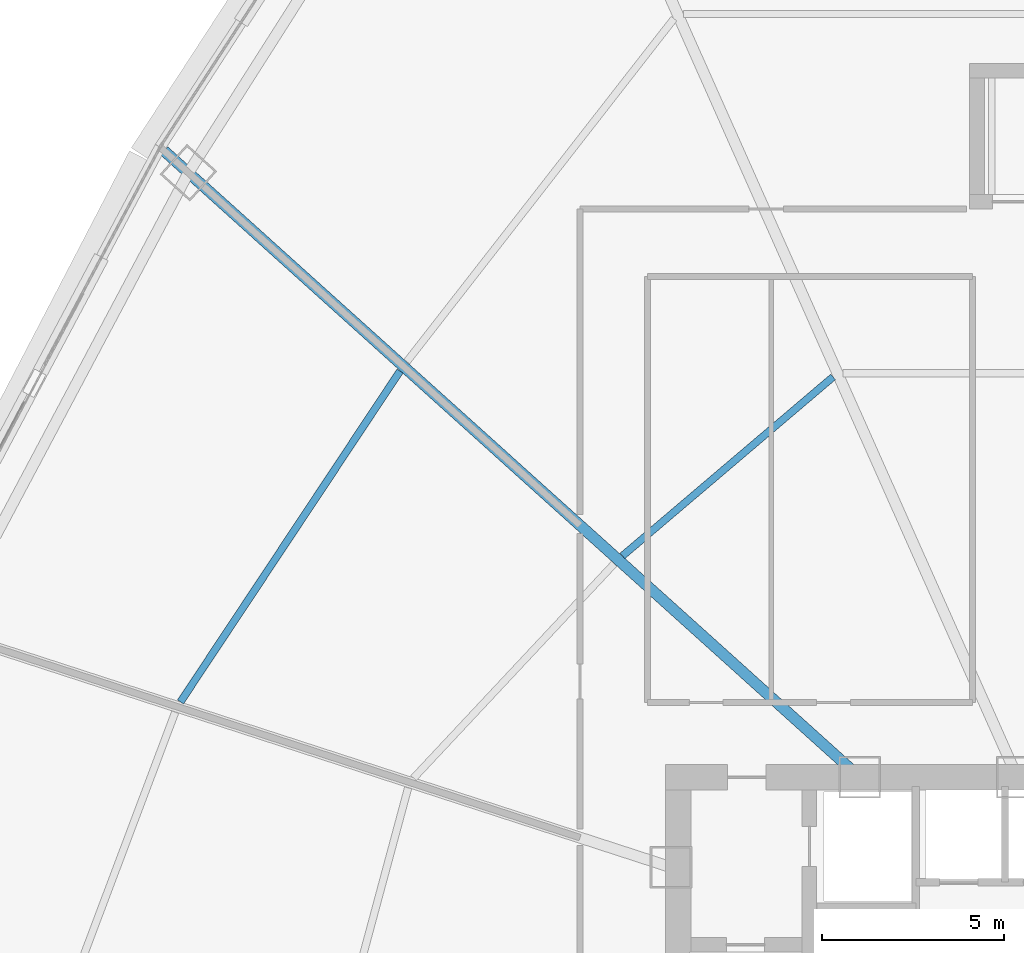
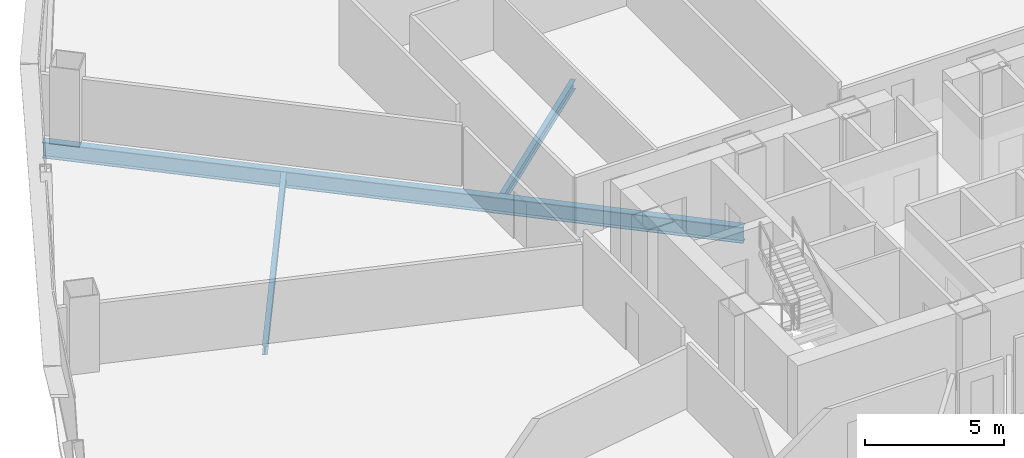
# One storey, part 15 of 40: 3 beams.
"""IFC4 building model written with IfcOpenShell, lengths in metres."""

import ifcopenshell
import ifcopenshell.guid

model = None  # the IFC model being written
_history = None  # IfcOwnerHistory: only IFC2X3 demands one
_inside = {}  # id of a spatial element -> (the spatial element, [elements in it])
_under = {}  # id of a project, library or spatial element -> (it, [spatial elements below it])
_declared = {}  # id of a project -> (the project, [libraries it declares])
_typed = {}  # id of a type object -> (the type object, [elements of that type])
_made_of = {}  # id of a material, layer set ... -> (it, [elements and type objects made of it])


def new_model(schema):
    """Start an empty IFC model of exactly this schema.

    Asked for "IFC4X3", IfcOpenShell would pick the latest addendum, in which some entities
    have other attributes; the version numbers below select the first issue.
    IFC2X3 requires an IfcOwnerHistory on every rooted entity: one is made here for all.
    """
    global model, _history
    if schema == "IFC4X3":
        model = ifcopenshell.file(schema_version=(4, 3, 0, 0))
    else:
        model = ifcopenshell.file(schema=schema)
    _inside.clear()
    _under.clear()
    _declared.clear()
    _typed.clear()
    _made_of.clear()
    _history = None
    if model.schema == "IFC2X3":
        org = make("IfcOrganization", Name="unknown")
        user = make(
            "IfcPersonAndOrganization",
            ThePerson=make("IfcPerson", FamilyName="unknown"),
            TheOrganization=org,
        )
        app = make(
            "IfcApplication",
            ApplicationDeveloper=org,
            Version="unknown",
            ApplicationFullName="unknown",
            ApplicationIdentifier="unknown",
        )
        _history = make(
            "IfcOwnerHistory",
            OwningUser=user,
            OwningApplication=app,
            ChangeAction="ADDED",
            CreationDate=0,
        )
    return model


def make(cls, **values):
    """One entity of the class cls with the attributes given. An attribute that is None is left unset."""
    return model.create_entity(
        cls, **{name: value for name, value in values.items() if value is not None}
    )


def rooted(cls, **values):
    """An entity with a GlobalId (a new one), such as an element, a storey or a relation."""
    return make(cls, GlobalId=ifcopenshell.guid.new(), OwnerHistory=_history, **values)


def si_unit(unit_type, name, prefix=None):
    """IfcSIUnit, for example si_unit("LENGTHUNIT", "METRE", prefix="MILLI")."""
    return make("IfcSIUnit", UnitType=unit_type, Prefix=prefix, Name=name)


def assignment(units):
    """IfcUnitAssignment: the units of a project."""
    return None if units is None else make("IfcUnitAssignment", Units=units)


def point(xyz):
    """IfcCartesianPoint."""
    return None if xyz is None else make("IfcCartesianPoint", Coordinates=xyz)


def direction(xyz):
    """IfcDirection."""
    return None if xyz is None else make("IfcDirection", DirectionRatios=xyz)


def frame(location, z_axis=None, x_axis=None):
    """IfcAxis2Placement3D, a coordinate frame: its origin and axes. An axis left out is left unset."""
    return make(
        "IfcAxis2Placement3D",
        Location=point(location),
        Axis=direction(z_axis),
        RefDirection=direction(x_axis),
    )


def frame_2d(location, x_axis=None):
    """IfcAxis2Placement2D, a coordinate frame in the plane: its origin and x axis."""
    return make(
        "IfcAxis2Placement2D", Location=point(location), RefDirection=direction(x_axis)
    )


def origin():
    """The frame at (0, 0, 0) with its axes left unset."""
    return frame((0.0, 0.0, 0.0))


def origin_2d():
    """The frame at (0, 0) in the plane with its x axis left unset."""
    return frame_2d((0.0, 0.0))


def place(relative_to, where):
    """IfcLocalPlacement: puts the frame where relative to a parent placement (None: the world)."""
    return make(
        "IfcLocalPlacement", PlacementRelTo=relative_to, RelativePlacement=where
    )


def context(
    kind, dimensions, precision=None, world=None, true_north=None, identifier=None
):
    """IfcGeometricRepresentationContext, for example the 3D "Model" context."""
    return make(
        "IfcGeometricRepresentationContext",
        ContextIdentifier=identifier,
        ContextType=kind,
        CoordinateSpaceDimension=dimensions,
        Precision=precision,
        WorldCoordinateSystem=world,
        TrueNorth=true_north,
    )


def subcontext(parent, identifier, kind, view, scale=None):
    """IfcGeometricRepresentationSubContext, for example "Body" below "Model"."""
    return make(
        "IfcGeometricRepresentationSubContext",
        ContextIdentifier=identifier,
        ContextType=kind,
        ParentContext=parent,
        TargetScale=scale,
        TargetView=view,
    )


def project(units=None, contexts=None):
    """IfcProject with its units and contexts."""
    return rooted(
        "IfcProject",
        Name="project",
        RepresentationContexts=contexts,
        UnitsInContext=assignment(units),
    )


def spatial(cls, under=None, at=None, **own):
    """A site, building, storey or space (cls), placed at a placement, below another one or the project."""
    s = rooted(cls, ObjectPlacement=at, **own)
    if under is not None:
        _under.setdefault(under.id(), (under, []))[1].append(s)
    return s


def profile(cls, at=None, kind="AREA", **sizes):
    """A parametric profile (cls). Its sizes go by their IFC names, for example OverallWidth=200.0."""
    return make(cls, ProfileType=kind, Position=at, **sizes)


def i_section(**sizes):
    """IfcIShapeProfileDef."""
    return profile("IfcIShapeProfileDef", **sizes)


def extrude(swept, where, along, depth):
    """IfcExtrudedAreaSolid: the profile swept, set in the frame where, extruded along a direction by depth."""
    return make(
        "IfcExtrudedAreaSolid",
        SweptArea=swept,
        Position=where,
        ExtrudedDirection=direction(along),
        Depth=depth,
    )


def shape(context_of_items, identifier, shape_type, items):
    """IfcShapeRepresentation: the items that make up one representation, for example the "Body"."""
    return make(
        "IfcShapeRepresentation",
        ContextOfItems=context_of_items,
        RepresentationIdentifier=identifier,
        RepresentationType=shape_type,
        Items=items,
    )


def source(mapping_origin, context_of_items, identifier, shape_type, items):
    """IfcRepresentationMap: a shape defined once, which mapped items show again and again."""
    return make(
        "IfcRepresentationMap",
        MappingOrigin=mapping_origin,
        MappedRepresentation=shape(context_of_items, identifier, shape_type, items),
    )


def transform(
    local_origin,
    x_axis=None,
    y_axis=None,
    z_axis=None,
    scale=None,
    scale2=None,
    scale3=None,
    uniform=True,
):
    """IfcCartesianTransformationOperator3D, or its non-uniform kind. x_axis, y_axis, z_axis: its Axis1, 2, 3."""
    if uniform:
        return make(
            "IfcCartesianTransformationOperator3D",
            Axis1=direction(x_axis),
            Axis2=direction(y_axis),
            LocalOrigin=point(local_origin),
            Scale=scale,
            Axis3=direction(z_axis),
        )
    return make(
        "IfcCartesianTransformationOperator3DnonUniform",
        Axis1=direction(x_axis),
        Axis2=direction(y_axis),
        LocalOrigin=point(local_origin),
        Scale=scale,
        Axis3=direction(z_axis),
        Scale2=scale2,
        Scale3=scale3,
    )


def mapped(mapping_source, mapping_target):
    """IfcMappedItem: shows the shape of a source again, moved by a transform."""
    return make(
        "IfcMappedItem", MappingSource=mapping_source, MappingTarget=mapping_target
    )


def material(Name=None, Category=None):
    """IfcMaterial."""
    return make("IfcMaterial", Name=Name, Category=Category)


def material_profile(
    of_material, cross_section, Name=None, Category=None, Priority=None
):
    """IfcMaterialProfile: a cross section and its material."""
    return make(
        "IfcMaterialProfile",
        Name=Name,
        Material=of_material,
        Profile=cross_section,
        Priority=Priority,
        Category=Category,
    )


def profile_set(profiles, Name=None, composite=None):
    """IfcMaterialProfileSet."""
    return make(
        "IfcMaterialProfileSet",
        Name=Name,
        MaterialProfiles=profiles,
        CompositeProfile=composite,
    )


def made_of(thing, what):
    """Note that an element or type object is made of a material, layer set ...; save() writes the relation."""
    if what is not None:
        _made_of.setdefault(what.id(), (what, []))[1].append(thing)
    return thing


def type_object(cls, material=None, **own):
    """A type object (cls), such as IfcWallType, which elements share."""
    return made_of(rooted(cls, **own), material)


def element(
    cls,
    number,
    at=None,
    inside=None,
    cuts=None,
    type_object=None,
    material=None,
    context=None,
    identifier="Body",
    shape_type=None,
    held_by="IfcProductDefinitionShape",
    body=None,
    shapes=None,
    **own,
):
    """One element of the class cls, such as IfcWall. Its Tag is "e" and its number.

    at: its placement. inside: the storey or other place that contains it. cuts: it is an
    opening in that element (IfcRelVoidsElement). A single representation is given by context,
    identifier, shape_type and body (its items); several are given by shapes. held_by: the class
    of the entity that holds the representations. save() writes the other relations.
    """
    e = rooted(cls, Tag="e%d" % number, ObjectPlacement=at, **own)
    if body is not None:
        shapes = [shape(context, identifier, shape_type, body)]
    if shapes is not None:
        e.Representation = make(held_by, Representations=shapes)
    if inside is not None:
        _inside.setdefault(inside.id(), (inside, []))[1].append(e)
    if cuts is not None:
        rooted(
            "IfcRelVoidsElement", RelatingBuildingElement=cuts, RelatedOpeningElement=e
        )
    if type_object is not None:
        _typed.setdefault(type_object.id(), (type_object, []))[1].append(e)
    return made_of(e, material)


def aggregate(whole, parts):
    """IfcRelAggregates: a whole, such as a stair, and the parts it consists of."""
    return rooted("IfcRelAggregates", RelatingObject=whole, RelatedObjects=parts)


def save(model, path):
    """Write the relations noted so far, then the file.

    IfcRelAggregates (storeys below a building ...), IfcRelContainedInSpatialStructure (elements
    in a storey), IfcRelDefinesByType, IfcRelAssociatesMaterial and IfcRelDeclares: one each for
    every whole, place, type object, material and project.
    """
    for whole, parts in _under.values():
        aggregate(whole, parts)
    for where, things in _inside.values():
        rooted(
            "IfcRelContainedInSpatialStructure",
            RelatedElements=things,
            RelatingStructure=where,
        )
    for kind, things in _typed.values():
        rooted("IfcRelDefinesByType", RelatedObjects=things, RelatingType=kind)
    for what, things in _made_of.values():
        rooted("IfcRelAssociatesMaterial", RelatedObjects=things, RelatingMaterial=what)
    for by, libraries in _declared.values():
        rooted("IfcRelDeclares", RelatingContext=by, RelatedDefinitions=libraries)
    model.write(path)


model = new_model("IFC4")

# Units and contexts
model_context = context("Model", 3, precision=1e-05, world=origin(), true_north=direction((0.0, 1.0)))
body_context = subcontext(model_context, "Body", "Model", "MODEL_VIEW")
ifc_project = project(units=[si_unit("LENGTHUNIT", "METRE"), si_unit("AREAUNIT", "SQUARE_METRE"), si_unit("VOLUMEUNIT", "CUBIC_METRE"), si_unit("PLANEANGLEUNIT", "RADIAN"), si_unit("MASSUNIT", "GRAM", prefix="KILO"), si_unit("THERMODYNAMICTEMPERATUREUNIT", "KELVIN"), si_unit("POWERUNIT", "WATT")], contexts=[model_context])

# Site, building, storey
site_placement = place(None, origin())
site = spatial("IfcSite", under=ifc_project, at=site_placement, CompositionType="ELEMENT")
building_placement = place(site_placement, origin())
building = spatial("IfcBuilding", under=site, at=building_placement, Name="Yunzhuo Pagoda Commons", CompositionType="ELEMENT")
storey_placement = place(building_placement, frame((0.0, 0.0, 66.699951171875)))
storey = spatial("IfcBuildingStorey", under=building, at=storey_placement, Name="L17", CompositionType="ELEMENT", Elevation=66.699951171875)

# Beams
ifc_material = material(Name="Structural steel Q355B", Category="steel")
ifc_material_profile_1 = material_profile(ifc_material, i_section(OverallWidth=0.199951171875, OverallDepth=0.39990234375, WebThickness=0.008056640625, FlangeThickness=0.012939453125, at=origin_2d()), Name="Structural steel Q355B")
ifc_profile_set_1 = profile_set([ifc_material_profile_1], Name="Structural steel Q355B")
beam_type_1 = type_object("IfcBeamType", Name="B-JS1 Joist HN 400x200x8x13", PredefinedType="JOIST", material=ifc_profile_set_1)
shared_shape_1 = source(origin(), body_context, "Body", "SweptSolid", [
    extrude(i_section(OverallWidth=0.199951171875, OverallDepth=0.39990234375, WebThickness=0.008056640625, FlangeThickness=0.012939453125, at=origin_2d()), origin(), (0.0, 0.0, 1.0), 10.904052734375),
])
beam_1_placement = place(storey_placement, frame((28.160888671875, 51.351806640625, -0.4599609375), z_axis=(-0.552916349928, -0.833236767061, 0.0), x_axis=(0.833236767061, -0.552916349928, 0.0)))
element("IfcBeam", 1, at=beam_1_placement, inside=storey, type_object=beam_type_1, Name="L17 composite ring joist 2.10", PredefinedType="JOIST", context=body_context, shape_type="MappedRepresentation", body=[
    mapped(shared_shape_1, transform((0.0, 0.0, 0.0), scale=1.0)),
])
shared_shape_2 = source(origin(), body_context, "Body", "SweptSolid", [
    extrude(i_section(OverallWidth=0.199951171875, OverallDepth=0.39990234375, WebThickness=0.008056640625, FlangeThickness=0.012939453125, at=origin_2d()), origin(), (0.0, 0.0, 1.0), 7.583984375),
])
beam_2_placement = place(storey_placement, frame((40.046875, 51.18798828125, -0.4599609375), z_axis=(-0.762037799133, -0.647532541803, 0.0), x_axis=(0.647532541803, -0.762037799133, 0.0)))
element("IfcBeam", 2, at=beam_2_placement, inside=storey, type_object=beam_type_1, Name="L17 composite ring joist 1.9", PredefinedType="JOIST", context=body_context, shape_type="MappedRepresentation", body=[
    mapped(shared_shape_2, transform((0.0, 0.0, 0.0), scale=1.0)),
])
ifc_material_profile_2 = material_profile(ifc_material, i_section(OverallWidth=0.300048828125, OverallDepth=0.699951171875, WebThickness=0.012939453125, FlangeThickness=0.02392578125, at=origin_2d()), Name="Structural steel Q355B")
ifc_profile_set_2 = profile_set([ifc_material_profile_2], Name="Structural steel Q355B")
beam_type_2 = type_object("IfcBeamType", Name="B-RG1 Beam HN 700x300x13x24", PredefinedType="BEAM", material=ifc_profile_set_2)
shared_shape_3 = source(origin(), body_context, "Body", "SweptSolid", [
    extrude(i_section(OverallWidth=0.300048828125, OverallDepth=0.699951171875, WebThickness=0.012939453125, FlangeThickness=0.02392578125, at=origin_2d()), origin(), (0.0, 0.0, 1.0), 25.694580078125),
])
beam_3_placement = place(storey_placement, frame((21.686279296875, 57.39306640625, -0.60986328125), z_axis=(0.743141995852, -0.669133748963, 0.0), x_axis=(0.669133748963, 0.743141995852, 0.0)))
element("IfcBeam", 3, at=beam_3_placement, inside=storey, type_object=beam_type_2, Name="L17 radial floor girder F3C2", PredefinedType="BEAM", context=body_context, shape_type="MappedRepresentation", body=[
    mapped(shared_shape_3, transform((0.0, 0.0, 0.0), scale=1.0)),
])

save(model, "model.ifc")
